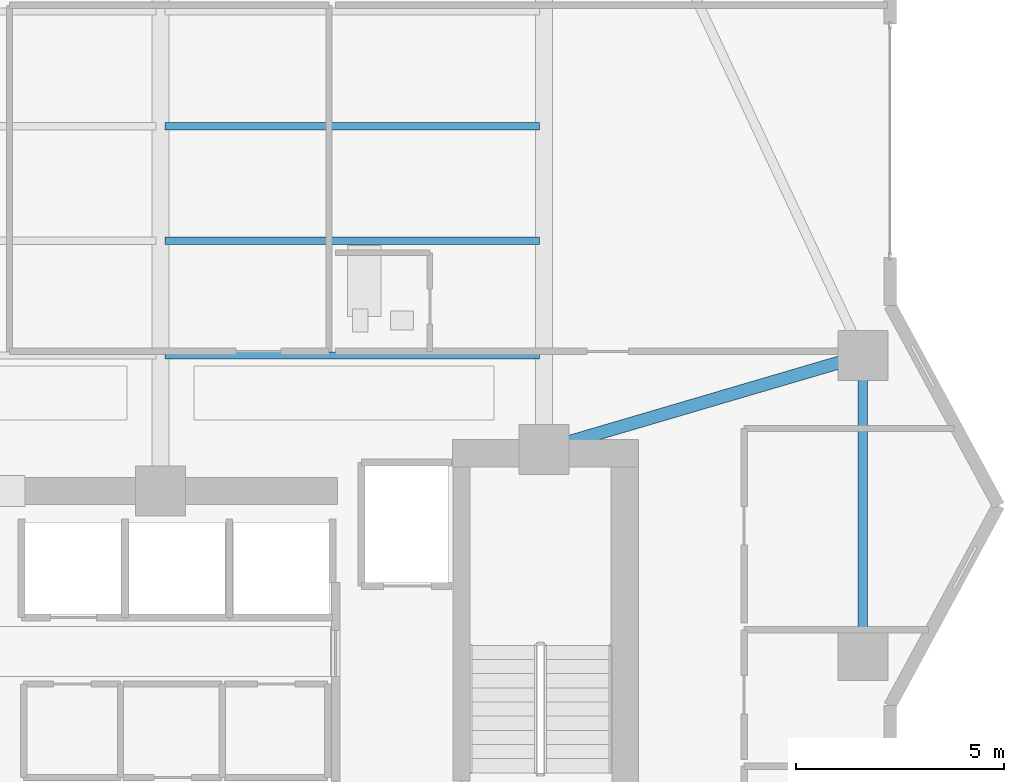
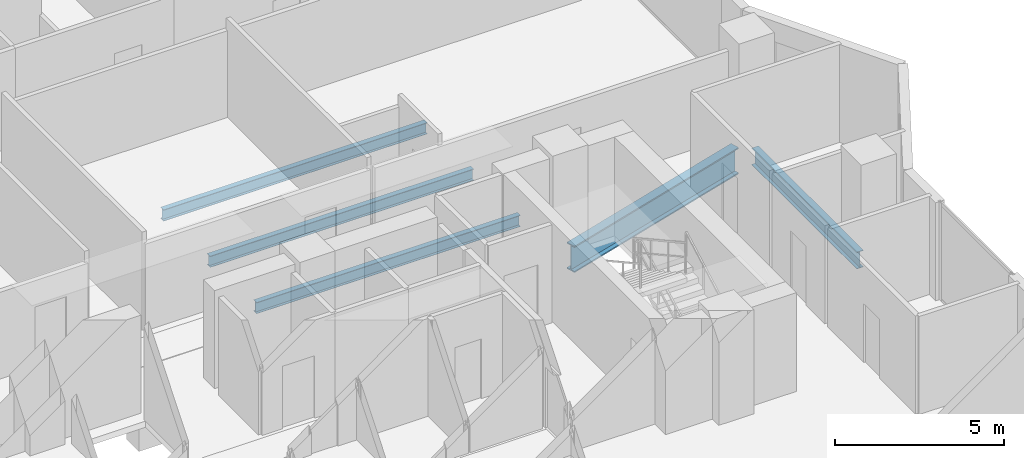
# One storey, part 15 of 33: 5 beams.
"""IFC4 building model written with IfcOpenShell, lengths in metres."""

from ifc_helpers import new_model, si_unit, direction, frame, origin, origin_2d, place, context, subcontext, project, spatial, i_section, extrude, material, material_profile, profile_set, type_object, element, save


model = new_model("IFC4")

# Units and contexts
model_context = context("Model", 3, precision=1e-05, world=origin(), true_north=direction((0.0, 1.0)))
body_context = subcontext(model_context, "Body", "Model", "MODEL_VIEW")
ifc_project = project(units=[si_unit("LENGTHUNIT", "METRE"), si_unit("AREAUNIT", "SQUARE_METRE"), si_unit("VOLUMEUNIT", "CUBIC_METRE"), si_unit("PLANEANGLEUNIT", "RADIAN"), si_unit("MASSUNIT", "GRAM", prefix="KILO")], contexts=[model_context])

# Site, building, storey
site_placement = place(None, origin())
site = spatial("IfcSite", under=ifc_project, at=site_placement, CompositionType="ELEMENT")
building_placement = place(site_placement, origin())
building = spatial("IfcBuilding", under=site, at=building_placement, Name="Zuhayl Quay Hotel", CompositionType="ELEMENT")
storey_placement = place(building_placement, frame((0.0, 0.0, 207.39990234375)))
storey = spatial("IfcBuildingStorey", under=building, at=storey_placement, Name="L52", CompositionType="ELEMENT", Elevation=207.39990234375)

# Beams
ifc_material = material(Name="Steel ASTM A992 Grade 50", Category="steel")
ifc_material_profile_1 = material_profile(ifc_material, i_section(OverallWidth=0.22802734375, OverallDepth=0.60693359375, WebThickness=0.01123046875, FlangeThickness=0.017333984375, at=origin_2d()), Name="W24X76")
ifc_profile_set_1 = profile_set([ifc_material_profile_1], Name="Steel ASTM A992 Grade 50")
beam_type_1 = type_object("IfcBeamType", Name="BM_B3_W24X76", PredefinedType="BEAM", material=ifc_profile_set_1)
beam_1_placement = place(storey_placement, frame((21.449951171875, 9.89990234375, -0.5234375), z_axis=(0.0, 1.0, 0.0), x_axis=(-1.0, 0.0, 0.0)))
element("IfcBeam", 1, at=beam_1_placement, inside=storey, type_object=beam_type_1, Name="L52 Floor Beam RG_L52_05", PredefinedType="BEAM", context=body_context, shape_type="SweptSolid", body=[
    extrude(i_section(OverallWidth=0.22802734375, OverallDepth=0.60693359375, WebThickness=0.01123046875, FlangeThickness=0.017333984375, at=origin_2d()), origin(), (0.0, 0.0, 1.0), 6.2001953125),
])
ifc_material_profile_2 = material_profile(ifc_material, i_section(OverallWidth=0.177978515625, OverallDepth=0.406005859375, WebThickness=0.0078125, FlangeThickness=0.0126953125, at=origin_2d()), Name="W16X40")
ifc_profile_set_2 = profile_set([ifc_material_profile_2], Name="Steel ASTM A992 Grade 50")
beam_type_2 = type_object("IfcBeamType", Name="BM_J2B_W16X40", PredefinedType="JOIST", material=ifc_profile_set_2)
for number, where, z_axis, x_axis, name in (
    (2, (4.7060546875, 16.60009765625, -0.4228515625), (1.0, 0.0, 0.0), (0.0, 1.0, 0.0), "L52 Floor Beam FJ_L52_1_3"),
    (3, (4.7060546875, 19.35009765625, -0.4228515625), (1.0, 0.0, 0.0), (0.0, 1.0, 0.0), "L52 Floor Beam FJ_L52_2_3"),
    (4, (4.7060546875, 22.10009765625, -0.4228515625), (1.0, 0.0, 0.0), (0.0, 1.0, 0.0), "L52 Floor Beam FJ_L52_3_3"),
):
    element("IfcBeam", number, at=place(storey_placement, frame(where, z_axis=z_axis, x_axis=x_axis)), inside=storey, type_object=beam_type_2, Name=name, PredefinedType="JOIST", context=body_context, shape_type="SweptSolid", body=[
        extrude(i_section(OverallWidth=0.177978515625, OverallDepth=0.406005859375, WebThickness=0.0078125, FlangeThickness=0.0126953125, at=origin_2d()), origin(), (0.0, 0.0, 1.0), 8.988037109375),
    ])
ifc_material_profile_3 = material_profile(ifc_material, i_section(OverallWidth=0.31005859375, OverallDepth=0.949951171875, WebThickness=0.0244140625, FlangeThickness=0.0439453125, at=origin_2d()), Name="W36X256")
ifc_profile_set_3 = profile_set([ifc_material_profile_3], Name="Steel ASTM A992 Grade 50")
beam_type_3 = type_object("IfcBeamType", Name="BM_PG1_W36X256", PredefinedType="BEAM", material=ifc_profile_set_3)
beam_2_placement = place(storey_placement, frame((14.231689453125, 14.47705078125, -0.69482421875), z_axis=(0.959364948093, 0.282168205812, 0.0), x_axis=(-0.282168205812, 0.959364948093, 0.0)))
element("IfcBeam", 5, at=beam_2_placement, inside=storey, type_object=beam_type_3, Name="L52 Floor Beam FG_E_L52_2", PredefinedType="BEAM", context=body_context, shape_type="SweptSolid", body=[
    extrude(i_section(OverallWidth=0.31005859375, OverallDepth=0.949951171875, WebThickness=0.0244140625, FlangeThickness=0.0439453125, at=origin_2d()), origin(), (0.0, 0.0, 1.0), 7.02392578125),
])

save(model, "model.ifc")
